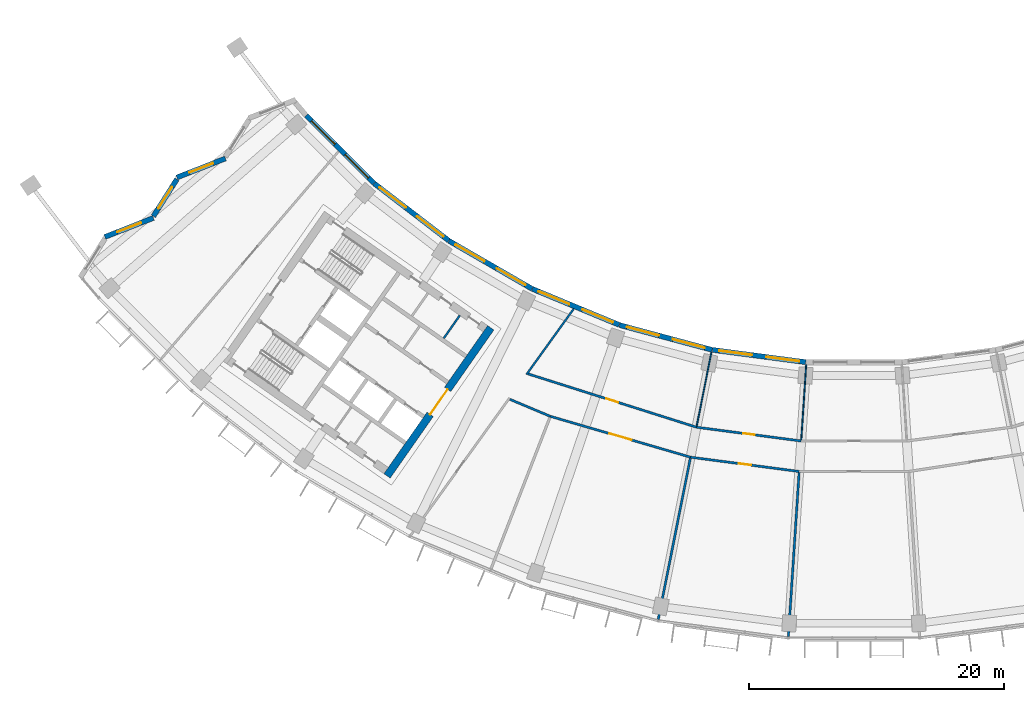
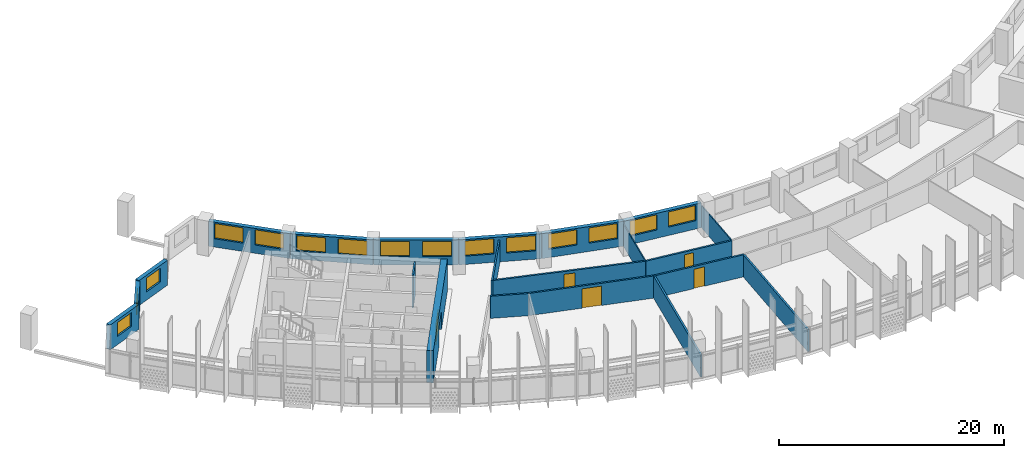
# One storey, part 4 of 27: 21 walls, 15 windows, 5 doors, 20 openings.
"""IFC4 building model written with IfcOpenShell, lengths in metres."""

import ifcopenshell
import ifcopenshell.guid

model = None  # the IFC model being written
_history = None  # IfcOwnerHistory: only IFC2X3 demands one
_inside = {}  # id of a spatial element -> (the spatial element, [elements in it])
_under = {}  # id of a project, library or spatial element -> (it, [spatial elements below it])
_declared = {}  # id of a project -> (the project, [libraries it declares])
_typed = {}  # id of a type object -> (the type object, [elements of that type])
_made_of = {}  # id of a material, layer set ... -> (it, [elements and type objects made of it])


def new_model(schema):
    """Start an empty IFC model of exactly this schema.

    Asked for "IFC4X3", IfcOpenShell would pick the latest addendum, in which some entities
    have other attributes; the version numbers below select the first issue.
    IFC2X3 requires an IfcOwnerHistory on every rooted entity: one is made here for all.
    """
    global model, _history
    if schema == "IFC4X3":
        model = ifcopenshell.file(schema_version=(4, 3, 0, 0))
    else:
        model = ifcopenshell.file(schema=schema)
    _inside.clear()
    _under.clear()
    _declared.clear()
    _typed.clear()
    _made_of.clear()
    _history = None
    if model.schema == "IFC2X3":
        org = make("IfcOrganization", Name="unknown")
        user = make(
            "IfcPersonAndOrganization",
            ThePerson=make("IfcPerson", FamilyName="unknown"),
            TheOrganization=org,
        )
        app = make(
            "IfcApplication",
            ApplicationDeveloper=org,
            Version="unknown",
            ApplicationFullName="unknown",
            ApplicationIdentifier="unknown",
        )
        _history = make(
            "IfcOwnerHistory",
            OwningUser=user,
            OwningApplication=app,
            ChangeAction="ADDED",
            CreationDate=0,
        )
    return model


def make(cls, **values):
    """One entity of the class cls with the attributes given. An attribute that is None is left unset."""
    return model.create_entity(
        cls, **{name: value for name, value in values.items() if value is not None}
    )


def rooted(cls, **values):
    """An entity with a GlobalId (a new one), such as an element, a storey or a relation."""
    return make(cls, GlobalId=ifcopenshell.guid.new(), OwnerHistory=_history, **values)


def si_unit(unit_type, name, prefix=None):
    """IfcSIUnit, for example si_unit("LENGTHUNIT", "METRE", prefix="MILLI")."""
    return make("IfcSIUnit", UnitType=unit_type, Prefix=prefix, Name=name)


def assignment(units):
    """IfcUnitAssignment: the units of a project."""
    return None if units is None else make("IfcUnitAssignment", Units=units)


def point(xyz):
    """IfcCartesianPoint."""
    return None if xyz is None else make("IfcCartesianPoint", Coordinates=xyz)


def direction(xyz):
    """IfcDirection."""
    return None if xyz is None else make("IfcDirection", DirectionRatios=xyz)


def frame(location, z_axis=None, x_axis=None):
    """IfcAxis2Placement3D, a coordinate frame: its origin and axes. An axis left out is left unset."""
    return make(
        "IfcAxis2Placement3D",
        Location=point(location),
        Axis=direction(z_axis),
        RefDirection=direction(x_axis),
    )


def frame_2d(location, x_axis=None):
    """IfcAxis2Placement2D, a coordinate frame in the plane: its origin and x axis."""
    return make(
        "IfcAxis2Placement2D", Location=point(location), RefDirection=direction(x_axis)
    )


def origin():
    """The frame at (0, 0, 0) with its axes left unset."""
    return frame((0.0, 0.0, 0.0))


def place(relative_to, where):
    """IfcLocalPlacement: puts the frame where relative to a parent placement (None: the world)."""
    return make(
        "IfcLocalPlacement", PlacementRelTo=relative_to, RelativePlacement=where
    )


def context(
    kind, dimensions, precision=None, world=None, true_north=None, identifier=None
):
    """IfcGeometricRepresentationContext, for example the 3D "Model" context."""
    return make(
        "IfcGeometricRepresentationContext",
        ContextIdentifier=identifier,
        ContextType=kind,
        CoordinateSpaceDimension=dimensions,
        Precision=precision,
        WorldCoordinateSystem=world,
        TrueNorth=true_north,
    )


def subcontext(parent, identifier, kind, view, scale=None):
    """IfcGeometricRepresentationSubContext, for example "Body" below "Model"."""
    return make(
        "IfcGeometricRepresentationSubContext",
        ContextIdentifier=identifier,
        ContextType=kind,
        ParentContext=parent,
        TargetScale=scale,
        TargetView=view,
    )


def project(units=None, contexts=None):
    """IfcProject with its units and contexts."""
    return rooted(
        "IfcProject",
        Name="project",
        RepresentationContexts=contexts,
        UnitsInContext=assignment(units),
    )


def spatial(cls, under=None, at=None, **own):
    """A site, building, storey or space (cls), placed at a placement, below another one or the project."""
    s = rooted(cls, ObjectPlacement=at, **own)
    if under is not None:
        _under.setdefault(under.id(), (under, []))[1].append(s)
    return s


def profile(cls, at=None, kind="AREA", **sizes):
    """A parametric profile (cls). Its sizes go by their IFC names, for example OverallWidth=200.0."""
    return make(cls, ProfileType=kind, Position=at, **sizes)


def rectangle(**sizes):
    """IfcRectangleProfileDef."""
    return profile("IfcRectangleProfileDef", **sizes)


def extrude(swept, where, along, depth):
    """IfcExtrudedAreaSolid: the profile swept, set in the frame where, extruded along a direction by depth."""
    return make(
        "IfcExtrudedAreaSolid",
        SweptArea=swept,
        Position=where,
        ExtrudedDirection=direction(along),
        Depth=depth,
    )


def shape(context_of_items, identifier, shape_type, items):
    """IfcShapeRepresentation: the items that make up one representation, for example the "Body"."""
    return make(
        "IfcShapeRepresentation",
        ContextOfItems=context_of_items,
        RepresentationIdentifier=identifier,
        RepresentationType=shape_type,
        Items=items,
    )


def material(Name=None, Category=None):
    """IfcMaterial."""
    return make("IfcMaterial", Name=Name, Category=Category)


def layer(
    of_material, thickness, ventilated=None, Name=None, Category=None, Priority=None
):
    """IfcMaterialLayer: one layer of a wall or slab, of a material (None: an air gap)."""
    return make(
        "IfcMaterialLayer",
        Material=of_material,
        LayerThickness=thickness,
        IsVentilated=ventilated,
        Name=Name,
        Category=Category,
        Priority=Priority,
    )


def layer_set(layers, Name=None):
    """IfcMaterialLayerSet."""
    return make("IfcMaterialLayerSet", MaterialLayers=layers, LayerSetName=Name)


def made_of(thing, what):
    """Note that an element or type object is made of a material, layer set ...; save() writes the relation."""
    if what is not None:
        _made_of.setdefault(what.id(), (what, []))[1].append(thing)
    return thing


def type_object(cls, material=None, **own):
    """A type object (cls), such as IfcWallType, which elements share."""
    return made_of(rooted(cls, **own), material)


def element(
    cls,
    number,
    at=None,
    inside=None,
    cuts=None,
    type_object=None,
    material=None,
    context=None,
    identifier="Body",
    shape_type=None,
    held_by="IfcProductDefinitionShape",
    body=None,
    shapes=None,
    **own,
):
    """One element of the class cls, such as IfcWall. Its Tag is "e" and its number.

    at: its placement. inside: the storey or other place that contains it. cuts: it is an
    opening in that element (IfcRelVoidsElement). A single representation is given by context,
    identifier, shape_type and body (its items); several are given by shapes. held_by: the class
    of the entity that holds the representations. save() writes the other relations.
    """
    e = rooted(cls, Tag="e%d" % number, ObjectPlacement=at, **own)
    if body is not None:
        shapes = [shape(context, identifier, shape_type, body)]
    if shapes is not None:
        e.Representation = make(held_by, Representations=shapes)
    if inside is not None:
        _inside.setdefault(inside.id(), (inside, []))[1].append(e)
    if cuts is not None:
        rooted(
            "IfcRelVoidsElement", RelatingBuildingElement=cuts, RelatedOpeningElement=e
        )
    if type_object is not None:
        _typed.setdefault(type_object.id(), (type_object, []))[1].append(e)
    return made_of(e, material)


def fill(opening, filler):
    """IfcRelFillsElement: the door or window that sits in an opening."""
    return rooted(
        "IfcRelFillsElement",
        RelatingOpeningElement=opening,
        RelatedBuildingElement=filler,
    )


def aggregate(whole, parts):
    """IfcRelAggregates: a whole, such as a stair, and the parts it consists of."""
    return rooted("IfcRelAggregates", RelatingObject=whole, RelatedObjects=parts)


def save(model, path):
    """Write the relations noted so far, then the file.

    IfcRelAggregates (storeys below a building ...), IfcRelContainedInSpatialStructure (elements
    in a storey), IfcRelDefinesByType, IfcRelAssociatesMaterial and IfcRelDeclares: one each for
    every whole, place, type object, material and project.
    """
    for whole, parts in _under.values():
        aggregate(whole, parts)
    for where, things in _inside.values():
        rooted(
            "IfcRelContainedInSpatialStructure",
            RelatedElements=things,
            RelatingStructure=where,
        )
    for kind, things in _typed.values():
        rooted("IfcRelDefinesByType", RelatedObjects=things, RelatingType=kind)
    for what, things in _made_of.values():
        rooted("IfcRelAssociatesMaterial", RelatedObjects=things, RelatingMaterial=what)
    for by, libraries in _declared.values():
        rooted("IfcRelDeclares", RelatingContext=by, RelatedDefinitions=libraries)
    model.write(path)


model = new_model("IFC4")

# Units and contexts
model_context = context("Model", 3, precision=1e-05, world=origin(), true_north=direction((0.0, 1.0)))
body_context = subcontext(model_context, "Body", "Model", "MODEL_VIEW")
ifc_project = project(units=[si_unit("LENGTHUNIT", "METRE"), si_unit("AREAUNIT", "SQUARE_METRE"), si_unit("VOLUMEUNIT", "CUBIC_METRE"), si_unit("PLANEANGLEUNIT", "RADIAN"), si_unit("MASSUNIT", "GRAM", prefix="KILO")], contexts=[model_context])

# Site, building, storey
site_placement = place(None, origin())
site = spatial("IfcSite", under=ifc_project, at=site_placement, CompositionType="ELEMENT")
building_placement = place(site_placement, origin())
building = spatial("IfcBuilding", under=site, at=building_placement, Name="Qamariyya Broadcast Tower", CompositionType="ELEMENT")
storey_placement = place(building_placement, frame((0.0, 0.0, 164.5)))
storey = spatial("IfcBuildingStorey", under=building, at=storey_placement, Name="L38", CompositionType="ELEMENT", Elevation=164.5)

# Wall, opening, door
ifc_material_1 = material(Name="Concrete C60/75", Category="concrete")
ifc_layer_1 = layer(ifc_material_1, 0.60009765625)
ifc_layer_set_1 = layer_set([ifc_layer_1], Name="Core wall 600 mm Concrete C60/75")
wall_type_1 = type_object("IfcWallType", Name="Core wall 600 mm Concrete C60/75", PredefinedType="SHEAR", material=ifc_layer_set_1)
wall_1_placement = place(storey_placement, frame((-36.66748046875, -66.005126953125, 0.0), z_axis=(0.0, 0.0, 1.0), x_axis=(0.573568499524, 0.819157601658, 0.0)))
wall_1 = element("IfcWall", 1, at=wall_1_placement, inside=storey, type_object=wall_type_1, Name="k-W-L38-WA", PredefinedType="SHEAR", context=body_context, shape_type="SweptSolid", body=[
    extrude(rectangle(XDim=14.19970703125, YDim=0.60009765625, at=frame_2d((7.099853515625, 0.0))), origin(), (0.0, 0.0, 1.0), 3.5),
])
opening_1_placement = place(wall_1_placement, frame((5.89990234375, 0.0, 0.0)))
opening_1 = element("IfcOpeningElement", 2, at=opening_1_placement, cuts=wall_1, Name="Opening KD3-W1", PredefinedType="OPENING", context=body_context, shape_type="SweptSolid", body=[
    extrude(rectangle(XDim=2.39990234375, YDim=2.10009765625, at=frame_2d((1.199951171875, 1.050048828125))), frame((0.0, 0.31005859375, 0.0), z_axis=(0.0, -1.0, 0.0), x_axis=(1.0, 0.0, 0.0)), (0.0, 0.0, 1.0), 0.6201171875),
])
ifc_material_2 = material(Name="Steel fire-resisting door leaf", Category="steel")
door_type_1 = type_object("IfcDoorType", Name="Lift lobby door KD3", OperationType="DOUBLE_DOOR_SINGLE_SWING", PredefinedType="DOOR", material=ifc_material_2)
door_1_placement = place(opening_1_placement, origin())
door_1 = element("IfcDoor", 3, at=door_1_placement, inside=storey, type_object=door_type_1, Name="k-W-L38-WA-D1", OperationType="DOUBLE_DOOR_SINGLE_SWING", OverallHeight=2.10009765625, OverallWidth=2.39990234375, PredefinedType="DOOR", context=body_context, shape_type="SweptSolid", body=[
    extrude(rectangle(XDim=2.39990234375, YDim=2.10009765625, at=frame_2d((1.199951171875, 1.050048828125))), frame((0.0, 0.02490234375, 0.0), z_axis=(0.0, -1.0, 0.0), x_axis=(1.0, 0.0, 0.0)), (0.0, 0.0, 1.0), 0.050048828125),
])
fill(opening_1, door_1)

# Walls
ifc_material_3 = material(Name="Gypsum board partition")
ifc_layer_2 = layer(ifc_material_3, 0.14990234375)
ifc_layer_set_2 = layer_set([ifc_layer_2], Name="Corridor partition 150 EI 60")
wall_type_2 = type_object("IfcWallType", Name="Corridor partition 150 EI 60", PredefinedType="PARTITIONING", material=ifc_layer_set_2)
wall_2_placement = place(storey_placement, frame((-22.0, -52.873046875, 0.0), z_axis=(0.0, 0.0, 1.0), x_axis=(-0.584145217468, -0.811649163684, 0.0)))
element("IfcWall", 4, at=wall_2_placement, inside=storey, type_object=wall_type_2, Name="Partition L38-007", PredefinedType="PARTITIONING", context=body_context, shape_type="SweptSolid", body=[
    extrude(rectangle(XDim=6.37109375, YDim=0.14990234375, at=frame_2d((3.185546875, 0.0))), origin(), (0.0, 0.0, 1.0), 2.39990234375),
])
ifc_material_4 = material(Name="Gypsum board partition on steel studs", Category="steel")
ifc_layer_3 = layer(ifc_material_4, 0.14990234375)
ifc_layer_set_3 = layer_set([ifc_layer_3], Name="Gypsum board partition 150 mm")
wall_type_3 = type_object("IfcWallType", Name="Gypsum board partition 150 mm", PredefinedType="PARTITIONING", material=ifc_layer_set_3)
wall_3_placement = place(storey_placement, frame((-32.2177734375, -55.204345703125, 0.0), z_axis=(0.0, 0.0, 1.0), x_axis=(0.573581496053, 0.819148501424, 0.0)))
element("IfcWall", 5, at=wall_3_placement, inside=storey, type_object=wall_type_3, Name="k-W-L38-NP225", PredefinedType="PARTITIONING", context=body_context, shape_type="SweptSolid", body=[
    extrude(rectangle(XDim=2.2001953125, YDim=0.14990234375, at=frame_2d((1.10009765625, 0.0))), origin(), (0.0, 0.0, 1.0), 3.5),
])
ifc_layer_4 = layer(ifc_material_3, 0.10009765625)
ifc_layer_set_4 = layer_set([ifc_layer_4], Name="Partition 100")
wall_type_4 = type_object("IfcWallType", Name="Partition 100", PredefinedType="PARTITIONING", material=ifc_layer_set_4)
wall_4_placement = place(storey_placement, frame((-11.1982421875, -56.297119140625, 0.0), z_axis=(0.0, 0.0, 1.0), x_axis=(-0.195067376167, -0.980789844337, 0.0)))
element("IfcWall", 6, at=wall_4_placement, inside=storey, type_object=wall_type_4, Name="Partition L38-011", PredefinedType="PARTITIONING", context=body_context, shape_type="SweptSolid", body=[
    extrude(rectangle(XDim=5.909912109375, YDim=0.10009765625, at=frame_2d((2.955078125, 0.0))), origin(), (0.0, 0.0, 1.0), 2.39990234375),
])
wall_5_placement = place(storey_placement, frame((-3.754150390625, -57.277099609375, 0.0), z_axis=(0.0, 0.0, 1.0), x_axis=(-0.065392110393, -0.99785964539, 0.0)))
element("IfcWall", 7, at=wall_5_placement, inside=storey, type_object=wall_type_4, Name="Partition L38-015", PredefinedType="PARTITIONING", context=body_context, shape_type="SweptSolid", body=[
    extrude(rectangle(XDim=5.91015625, YDim=0.10009765625, at=frame_2d((2.955078125, 0.0))), origin(), (0.0, 0.0, 1.0), 2.39990234375),
])
ifc_layer_5 = layer(ifc_material_3, 0.179931640625)
ifc_layer_set_5 = layer_set([ifc_layer_5], Name="Studio acoustic partition 180 EI 60")
wall_type_5 = type_object("IfcWallType", Name="Studio acoustic partition 180 EI 60", PredefinedType="PARTITIONING", material=ifc_layer_set_5)
wall_6_placement = place(storey_placement, frame((-27.031494140625, -59.989013671875, 0.0), z_axis=(0.0, 0.0, 1.0), x_axis=(0.921979582273, -0.38723849224, 0.0)))
element("IfcWall", 8, at=wall_6_placement, inside=storey, type_object=wall_type_5, Name="Partition L38-004", PredefinedType="PARTITIONING", context=body_context, shape_type="SweptSolid", body=[
    extrude(rectangle(XDim=3.454345703125, YDim=0.179931640625, at=frame_2d((1.72705078125, 0.0))), origin(), (0.0, 0.0, 1.0), 2.39990234375),
])

# Wall, opening, door
wall_7_placement = place(storey_placement, frame((-25.59765625, -57.99365234375, 0.0), z_axis=(0.0, 0.0, 1.0), x_axis=(0.953361971867, -0.301829340187, 0.0)))
wall_7 = element("IfcWall", 9, at=wall_7_placement, inside=storey, type_object=wall_type_5, Name="Partition L38-005", PredefinedType="PARTITIONING", context=body_context, shape_type="SweptSolid", body=[
    extrude(rectangle(XDim=13.876220703125, YDim=0.179931640625, at=frame_2d((6.93798828125, 0.0))), origin(), (0.0, 0.0, 1.0), 2.39990234375),
])
opening_2_placement = place(wall_7_placement, frame((6.43798828125, 0.0, 0.0)))
opening_2 = element("IfcOpeningElement", 10, at=opening_2_placement, cuts=wall_7, Name="Opening L38-D08", PredefinedType="OPENING", context=body_context, shape_type="SweptSolid", body=[
    extrude(rectangle(XDim=1.0, YDim=2.10009765625, at=frame_2d((0.5, 1.050048828125))), frame((0.0, 0.099853515625, 0.0), z_axis=(0.0, -1.0, 0.0), x_axis=(1.0, 0.0, 0.0)), (0.0, 0.0, 1.0), 0.199951171875),
])
ifc_material_5 = material(Name="Timber fire door leaf", Category="wood")
door_type_2 = type_object("IfcDoorType", Name="Fire door 1000 x 2100 FD60", OperationType="NOTDEFINED", PredefinedType="DOOR", material=ifc_material_5)
door_2_placement = place(opening_2_placement, origin())
door_2 = element("IfcDoor", 11, at=door_2_placement, inside=storey, type_object=door_type_2, Name="Door L38-D08", OperationType="SINGLE_SWING_RIGHT", OverallHeight=2.10009765625, OverallWidth=1.0, PredefinedType="DOOR", context=body_context, shape_type="SweptSolid", body=[
    extrude(rectangle(XDim=1.0, YDim=2.10009765625, at=frame_2d((0.5, 1.050048828125))), frame((0.0, 0.02490234375, 0.0), z_axis=(0.0, -1.0, 0.0), x_axis=(1.0, 0.0, 0.0)), (0.0, 0.0, 1.0), 0.050048828125),
])
fill(opening_2, door_2)

wall_8_placement = place(storey_placement, frame((-12.8369140625, -64.53564453125, 0.0), z_axis=(0.0, 0.0, 1.0), x_axis=(-0.960051486256, 0.279823415277, 0.0)))
wall_8 = element("IfcWall", 12, at=wall_8_placement, inside=storey, type_object=wall_type_5, Name="Partition L38-006", PredefinedType="PARTITIONING", context=body_context, shape_type="SweptSolid", body=[
    extrude(rectangle(XDim=11.4677734375, YDim=0.179931640625, at=frame_2d((5.73388671875, 0.0))), origin(), (0.0, 0.0, 1.0), 2.39990234375),
])
opening_3_placement = place(wall_8_placement, frame((4.833984375, 0.0, 0.0)))
opening_3 = element("IfcOpeningElement", 13, at=opening_3_placement, cuts=wall_8, Name="Opening L38-D02", PredefinedType="OPENING", context=body_context, shape_type="SweptSolid", body=[
    extrude(rectangle(XDim=1.800048828125, YDim=2.10009765625, at=frame_2d((0.89990234375, 1.050048828125))), frame((0.0, 0.099853515625, 0.0), z_axis=(0.0, -1.0, 0.0), x_axis=(1.0, 0.0, 0.0)), (0.0, 0.0, 1.0), 0.199951171875),
])
door_type_3 = type_object("IfcDoorType", Name="Double fire door 1800 x 2100 FD60", OperationType="NOTDEFINED", PredefinedType="DOOR", material=ifc_material_5)
door_3_placement = place(opening_3_placement, origin())
door_3 = element("IfcDoor", 14, at=door_3_placement, inside=storey, type_object=door_type_3, Name="Door L38-D02", OperationType="DOUBLE_DOOR_SINGLE_SWING", OverallHeight=2.10009765625, OverallWidth=1.800048828125, PredefinedType="DOOR", context=body_context, shape_type="SweptSolid", body=[
    extrude(rectangle(XDim=1.800048828125, YDim=2.10009765625, at=frame_2d((0.89990234375, 1.050048828125))), frame((0.0, 0.02490234375, 0.0), z_axis=(0.0, -1.0, 0.0), x_axis=(1.0, 0.0, 0.0)), (0.0, 0.0, 1.0), 0.050048828125),
])
fill(opening_3, door_3)

# Wall
wall_9_placement = place(storey_placement, frame((-15.373046875, -77.285888671875, 0.0), z_axis=(0.0, 0.0, 1.0), x_axis=(0.195086827289, 0.980785975541, 0.0)))
element("IfcWall", 15, at=wall_9_placement, inside=storey, type_object=wall_type_5, Name="Partition L38-008", PredefinedType="PARTITIONING", context=body_context, shape_type="SweptSolid", body=[
    extrude(rectangle(XDim=12.909912109375, YDim=0.179931640625, at=frame_2d((6.455078125, 0.0))), origin(), (0.0, 0.0, 1.0), 2.39990234375),
])

# Wall, opening, door
wall_10_placement = place(storey_placement, frame((-4.303466796875, -65.6591796875, 0.0), z_axis=(0.0, 0.0, 1.0), x_axis=(-0.991443575654, 0.130535957862, 0.0)))
wall_10 = element("IfcWall", 16, at=wall_10_placement, inside=storey, type_object=wall_type_5, Name="Partition L38-009", PredefinedType="PARTITIONING", context=body_context, shape_type="SweptSolid", body=[
    extrude(rectangle(XDim=8.607177734375, YDim=0.179931640625, at=frame_2d((4.3037109375, 0.0))), origin(), (0.0, 0.0, 1.0), 2.39990234375),
])
opening_4_placement = place(wall_10_placement, frame((3.803466796875, 0.0, 0.0)))
opening_4 = element("IfcOpeningElement", 17, at=opening_4_placement, cuts=wall_10, Name="Opening L38-D03", PredefinedType="OPENING", context=body_context, shape_type="SweptSolid", body=[
    extrude(rectangle(XDim=1.0, YDim=2.10009765625, at=frame_2d((0.5, 1.050048828125))), frame((0.0, 0.099853515625, 0.0), z_axis=(0.0, -1.0, 0.0), x_axis=(1.0, 0.0, 0.0)), (0.0, 0.0, 1.0), 0.199951171875),
])
door_4_placement = place(opening_4_placement, origin())
door_4 = element("IfcDoor", 18, at=door_4_placement, inside=storey, type_object=door_type_2, Name="Door L38-D03", OperationType="SINGLE_SWING_RIGHT", OverallHeight=2.10009765625, OverallWidth=1.0, PredefinedType="DOOR", context=body_context, shape_type="SweptSolid", body=[
    extrude(rectangle(XDim=1.0, YDim=2.10009765625, at=frame_2d((0.5, 1.050048828125))), frame((0.0, 0.02490234375, 0.0), z_axis=(0.0, -1.0, 0.0), x_axis=(1.0, 0.0, 0.0)), (0.0, 0.0, 1.0), 0.050048828125),
])
fill(opening_4, door_4)

wall_11_placement = place(storey_placement, frame((-12.36865234375, -62.181884765625, 0.0), z_axis=(0.0, 0.0, 1.0), x_axis=(0.991447881484, -0.130503250152, 0.0)))
wall_11 = element("IfcWall", 19, at=wall_11_placement, inside=storey, type_object=wall_type_5, Name="Partition L38-010", PredefinedType="PARTITIONING", context=body_context, shape_type="SweptSolid", body=[
    extrude(rectangle(XDim=8.293212890625, YDim=0.179931640625, at=frame_2d((4.146484375, 0.0))), origin(), (0.0, 0.0, 1.0), 2.39990234375),
])
opening_5_placement = place(wall_11_placement, frame((3.696533203125, 0.0, 0.0)))
opening_5 = element("IfcOpeningElement", 20, at=opening_5_placement, cuts=wall_11, Name="Opening L38-D09", PredefinedType="OPENING", context=body_context, shape_type="SweptSolid", body=[
    extrude(rectangle(XDim=0.89990234375, YDim=2.10009765625, at=frame_2d((0.449951171875, 1.050048828125))), frame((0.0, 0.099853515625, 0.0), z_axis=(0.0, -1.0, 0.0), x_axis=(1.0, 0.0, 0.0)), (0.0, 0.0, 1.0), 0.199951171875),
])
door_type_4 = type_object("IfcDoorType", Name="Fire door 900 x 2100 FD60", OperationType="NOTDEFINED", PredefinedType="DOOR", material=ifc_material_5)
door_5_placement = place(opening_5_placement, origin())
door_5 = element("IfcDoor", 21, at=door_5_placement, inside=storey, type_object=door_type_4, Name="Door L38-D09", OperationType="SINGLE_SWING_RIGHT", OverallHeight=2.10009765625, OverallWidth=0.89990234375, PredefinedType="DOOR", context=body_context, shape_type="SweptSolid", body=[
    extrude(rectangle(XDim=0.89990234375, YDim=2.10009765625, at=frame_2d((0.449951171875, 1.050048828125))), frame((0.0, 0.02490234375, 0.0), z_axis=(0.0, -1.0, 0.0), x_axis=(1.0, 0.0, 0.0)), (0.0, 0.0, 1.0), 0.050048828125),
])
fill(opening_5, door_5)

# Wall
wall_12_placement = place(storey_placement, frame((-5.15380859375, -78.63134765625, 0.0), z_axis=(0.0, 0.0, 1.0), x_axis=(0.06541317775, 0.997858264573, 0.0)))
element("IfcWall", 22, at=wall_12_placement, inside=storey, type_object=wall_type_5, Name="Partition L38-012", PredefinedType="PARTITIONING", context=body_context, shape_type="SweptSolid", body=[
    extrude(rectangle(XDim=12.909912109375, YDim=0.179931640625, at=frame_2d((6.455078125, 0.0))), origin(), (0.0, 0.0, 1.0), 2.39990234375),
])

# Wall, opening, window
ifc_material_6 = material(Name="Terracotta", Category="masonry")
ifc_layer_6 = layer(ifc_material_6, 0.39990234375)
ifc_layer_set_6 = layer_set([ifc_layer_6], Name="Terracotta clad wall 400")
wall_type_6 = type_object("IfcWallType", Name="Terracotta clad wall 400", PredefinedType="SOLIDWALL", material=ifc_layer_set_6)
wall_13_placement = place(storey_placement, frame((-49.36376953125, -41.078125, 0.0), z_axis=(0.0, 0.0, 1.0), x_axis=(-0.931214581227, -0.364471403144, 0.0)))
wall_13 = element("IfcWall", 23, at=wall_13_placement, inside=storey, type_object=wall_type_6, Name="e-wl-L38-capW2", PredefinedType="SOLIDWALL", context=body_context, shape_type="SweptSolid", body=[
    extrude(rectangle(XDim=4.088134765625, YDim=0.39990234375, at=frame_2d((2.0439453125, 0.0))), origin(), (0.0, 0.0, 1.0), 2.699951171875),
])
opening_6_placement = place(wall_13_placement, frame((1.0439453125, 0.0, 0.89990234375)))
opening_6 = element("IfcOpeningElement", 24, at=opening_6_placement, cuts=wall_13, Name="Opening W4", PredefinedType="OPENING", context=body_context, shape_type="SweptSolid", body=[
    extrude(rectangle(XDim=2.0, YDim=1.5, at=frame_2d((1.0, 0.75))), frame((0.0, 0.2099609375, 0.0), z_axis=(0.0, -1.0, 0.0), x_axis=(1.0, 0.0, 0.0)), (0.0, 0.0, 1.0), 0.419921875),
])
ifc_material_7 = material(Name="Clear low-e double glazed unit in aluminium frame", Category="aluminium")
window_type_1 = type_object("IfcWindowType", Name="Horn bay window 2000 x 1500", PartitioningType="SINGLE_PANEL", PredefinedType="WINDOW", material=ifc_material_7)
window_1_placement = place(opening_6_placement, origin())
window_1 = element("IfcWindow", 25, at=window_1_placement, inside=storey, type_object=window_type_1, Name="e-w-L38-capW2", OverallHeight=1.5, OverallWidth=2.0, PartitioningType="SINGLE_PANEL", PredefinedType="WINDOW", context=body_context, shape_type="SweptSolid", body=[
    extrude(rectangle(XDim=2.0, YDim=1.5, at=frame_2d((1.0, 0.75))), frame((0.0, 0.030029296875, 0.0), z_axis=(0.0, -1.0, 0.0), x_axis=(1.0, 0.0, 0.0)), (0.0, 0.0, 1.0), 0.06005859375),
])
fill(opening_6, window_1)

wall_14_placement = place(storey_placement, frame((-53.173828125, -42.70556640625, 0.0), z_axis=(0.0, 0.0, 1.0), x_axis=(-0.535584013076, -0.844481950628, 0.0)))
wall_14 = element("IfcWall", 26, at=wall_14_placement, inside=storey, type_object=wall_type_6, Name="e-wl-L38-capW3", PredefinedType="SOLIDWALL", context=body_context, shape_type="SweptSolid", body=[
    extrude(rectangle(XDim=3.43896484375, YDim=0.39990234375, at=frame_2d((1.719482421875, 0.0))), origin(), (0.0, 0.0, 1.0), 2.699951171875),
])
opening_7_placement = place(wall_14_placement, frame((0.71923828125, 0.0, 0.89990234375)))
opening_7 = element("IfcOpeningElement", 27, at=opening_7_placement, cuts=wall_14, Name="Opening W4", PredefinedType="OPENING", context=body_context, shape_type="SweptSolid", body=[
    extrude(rectangle(XDim=2.0, YDim=1.5, at=frame_2d((1.0, 0.75))), frame((0.0, 0.2099609375, 0.0), z_axis=(0.0, -1.0, 0.0), x_axis=(1.0, 0.0, 0.0)), (0.0, 0.0, 1.0), 0.419921875),
])
window_2_placement = place(opening_7_placement, origin())
window_2 = element("IfcWindow", 28, at=window_2_placement, inside=storey, type_object=window_type_1, Name="e-w-L38-capW3", OverallHeight=1.5, OverallWidth=2.0, PartitioningType="SINGLE_PANEL", PredefinedType="WINDOW", context=body_context, shape_type="SweptSolid", body=[
    extrude(rectangle(XDim=2.0, YDim=1.5, at=frame_2d((1.0, 0.75))), frame((0.0, 0.030029296875, 0.0), z_axis=(0.0, -1.0, 0.0), x_axis=(1.0, 0.0, 0.0)), (0.0, 0.0, 1.0), 0.06005859375),
])
fill(opening_7, window_2)

wall_15_placement = place(storey_placement, frame((-55.018798828125, -45.7470703125, 0.0), z_axis=(0.0, 0.0, 1.0), x_axis=(-0.931177577402, -0.364565932779, 0.0)))
wall_15 = element("IfcWall", 29, at=wall_15_placement, inside=storey, type_object=wall_type_6, Name="e-wl-L38-capW4", PredefinedType="SOLIDWALL", context=body_context, shape_type="SweptSolid", body=[
    extrude(rectangle(XDim=4.089111328125, YDim=0.39990234375, at=frame_2d((2.04443359375, 0.0))), origin(), (0.0, 0.0, 1.0), 2.699951171875),
])
opening_8_placement = place(wall_15_placement, frame((1.04443359375, 0.0, 0.89990234375)))
opening_8 = element("IfcOpeningElement", 30, at=opening_8_placement, cuts=wall_15, Name="Opening W4", PredefinedType="OPENING", context=body_context, shape_type="SweptSolid", body=[
    extrude(rectangle(XDim=2.0, YDim=1.5, at=frame_2d((1.0, 0.75))), frame((0.0, 0.2099609375, 0.0), z_axis=(0.0, -1.0, 0.0), x_axis=(1.0, 0.0, 0.0)), (0.0, 0.0, 1.0), 0.419921875),
])
window_3_placement = place(opening_8_placement, origin())
window_3 = element("IfcWindow", 31, at=window_3_placement, inside=storey, type_object=window_type_1, Name="e-w-L38-capW4", OverallHeight=1.5, OverallWidth=2.0, PartitioningType="SINGLE_PANEL", PredefinedType="WINDOW", context=body_context, shape_type="SweptSolid", body=[
    extrude(rectangle(XDim=2.0, YDim=1.5, at=frame_2d((1.0, 0.75))), frame((0.0, 0.030029296875, 0.0), z_axis=(0.0, -1.0, 0.0), x_axis=(1.0, 0.0, 0.0)), (0.0, 0.0, 1.0), 0.06005859375),
])
fill(opening_8, window_3)

# Wall, openings, windows
wall_16_placement = place(storey_placement, frame((-37.697265625, -43.023193359375, 0.0), z_axis=(0.0, 0.0, 1.0), x_axis=(-0.707106781187, 0.707106781187, 0.0)))
wall_16 = element("IfcWall", 32, at=wall_16_placement, inside=storey, type_object=wall_type_6, Name="e-wl-L38-in10", PredefinedType="SOLIDWALL", context=body_context, shape_type="SweptSolid", body=[
    extrude(rectangle(XDim=7.51708984375, YDim=0.39990234375, at=frame_2d((3.758544921875, 0.0))), origin(), (0.0, 0.0, 1.0), 2.699951171875),
])
opening_9_placement = place(wall_16_placement, frame((4.330078125, 0.0, 0.89990234375)))
opening_9 = element("IfcOpeningElement", 33, at=opening_9_placement, cuts=wall_16, Name="Opening W1", PredefinedType="OPENING", context=body_context, shape_type="SweptSolid", body=[
    extrude(rectangle(XDim=2.60009765625, YDim=1.64990234375, at=frame_2d((1.300048828125, 0.824951171875))), frame((0.0, 0.2099609375, 0.0), z_axis=(0.0, -1.0, 0.0), x_axis=(1.0, 0.0, 0.0)), (0.0, 0.0, 1.0), 0.419921875),
])
opening_10_placement = place(wall_16_placement, frame((0.60205078125, 0.0, 0.89990234375)))
opening_10 = element("IfcOpeningElement", 34, at=opening_10_placement, cuts=wall_16, Name="Opening W1", PredefinedType="OPENING", context=body_context, shape_type="SweptSolid", body=[
    extrude(rectangle(XDim=2.60009765625, YDim=1.64990234375, at=frame_2d((1.300048828125, 0.824951171875))), frame((0.0, 0.2099609375, 0.0), z_axis=(0.0, -1.0, 0.0), x_axis=(1.0, 0.0, 0.0)), (0.0, 0.0, 1.0), 0.419921875),
])
window_type_2 = type_object("IfcWindowType", Name="Ribbon window 2600 x 1650", PartitioningType="SINGLE_PANEL", PredefinedType="WINDOW", material=ifc_material_7)
window_4_placement = place(opening_9_placement, origin())
window_4 = element("IfcWindow", 35, at=window_4_placement, inside=storey, type_object=window_type_2, Name="e-w-L38-in01-0", OverallHeight=1.64990234375, OverallWidth=2.60009765625, PartitioningType="SINGLE_PANEL", PredefinedType="WINDOW", context=body_context, shape_type="SweptSolid", body=[
    extrude(rectangle(XDim=2.60009765625, YDim=1.64990234375, at=frame_2d((1.300048828125, 0.824951171875))), frame((0.0, 0.030029296875, 0.0), z_axis=(0.0, -1.0, 0.0), x_axis=(1.0, 0.0, 0.0)), (0.0, 0.0, 1.0), 0.06005859375),
])
fill(opening_9, window_4)
window_5_placement = place(opening_10_placement, origin())
window_5 = element("IfcWindow", 36, at=window_5_placement, inside=storey, type_object=window_type_2, Name="e-w-L38-in01-1", OverallHeight=1.64990234375, OverallWidth=2.60009765625, PartitioningType="SINGLE_PANEL", PredefinedType="WINDOW", context=body_context, shape_type="SweptSolid", body=[
    extrude(rectangle(XDim=2.60009765625, YDim=1.64990234375, at=frame_2d((1.300048828125, 0.824951171875))), frame((0.0, 0.030029296875, 0.0), z_axis=(0.0, -1.0, 0.0), x_axis=(1.0, 0.0, 0.0)), (0.0, 0.0, 1.0), 0.06005859375),
])
fill(opening_10, window_5)

wall_17_placement = place(storey_placement, frame((-31.819091796875, -47.529541015625, 0.0), z_axis=(0.0, 0.0, 1.0), x_axis=(-0.79334647843, 0.608770371457, 0.0)))
wall_17 = element("IfcWall", 37, at=wall_17_placement, inside=storey, type_object=wall_type_6, Name="e-wl-L38-in20", PredefinedType="SOLIDWALL", context=body_context, shape_type="SweptSolid", body=[
    extrude(rectangle(XDim=7.380615234375, YDim=0.39990234375, at=frame_2d((3.6904296875, 0.0))), origin(), (0.0, 0.0, 1.0), 2.699951171875),
])
opening_11_placement = place(wall_17_placement, frame((4.25439453125, 0.0, 0.89990234375)))
opening_11 = element("IfcOpeningElement", 38, at=opening_11_placement, cuts=wall_17, Name="Opening W1", PredefinedType="OPENING", context=body_context, shape_type="SweptSolid", body=[
    extrude(rectangle(XDim=2.60009765625, YDim=1.64990234375, at=frame_2d((1.300048828125, 0.824951171875))), frame((0.0, 0.2099609375, 0.0), z_axis=(0.0, -1.0, 0.0), x_axis=(1.0, 0.0, 0.0)), (0.0, 0.0, 1.0), 0.419921875),
])
opening_12_placement = place(wall_17_placement, frame((0.5263671875, 0.0, 0.89990234375)))
opening_12 = element("IfcOpeningElement", 39, at=opening_12_placement, cuts=wall_17, Name="Opening W1", PredefinedType="OPENING", context=body_context, shape_type="SweptSolid", body=[
    extrude(rectangle(XDim=2.60009765625, YDim=1.64990234375, at=frame_2d((1.300048828125, 0.824951171875))), frame((0.0, 0.2099609375, 0.0), z_axis=(0.0, -1.0, 0.0), x_axis=(1.0, 0.0, 0.0)), (0.0, 0.0, 1.0), 0.419921875),
])
window_6_placement = place(opening_11_placement, origin())
window_6 = element("IfcWindow", 40, at=window_6_placement, inside=storey, type_object=window_type_2, Name="e-w-L38-in02-0", OverallHeight=1.64990234375, OverallWidth=2.60009765625, PartitioningType="SINGLE_PANEL", PredefinedType="WINDOW", context=body_context, shape_type="SweptSolid", body=[
    extrude(rectangle(XDim=2.60009765625, YDim=1.64990234375, at=frame_2d((1.300048828125, 0.824951171875))), frame((0.0, 0.030029296875, 0.0), z_axis=(0.0, -1.0, 0.0), x_axis=(1.0, 0.0, 0.0)), (0.0, 0.0, 1.0), 0.06005859375),
])
fill(opening_11, window_6)
window_7_placement = place(opening_12_placement, origin())
window_7 = element("IfcWindow", 41, at=window_7_placement, inside=storey, type_object=window_type_2, Name="e-w-L38-in02-1", OverallHeight=1.64990234375, OverallWidth=2.60009765625, PartitioningType="SINGLE_PANEL", PredefinedType="WINDOW", context=body_context, shape_type="SweptSolid", body=[
    extrude(rectangle(XDim=2.60009765625, YDim=1.64990234375, at=frame_2d((1.300048828125, 0.824951171875))), frame((0.0, 0.030029296875, 0.0), z_axis=(0.0, -1.0, 0.0), x_axis=(1.0, 0.0, 0.0)), (0.0, 0.0, 1.0), 0.06005859375),
])
fill(opening_12, window_7)

wall_18_placement = place(storey_placement, frame((-25.27734375, -51.31396484375, 0.0), z_axis=(0.0, 0.0, 1.0), x_axis=(-0.866028517328, 0.499994607145, 0.0)))
wall_18 = element("IfcWall", 42, at=wall_18_placement, inside=storey, type_object=wall_type_6, Name="e-wl-L38-in30", PredefinedType="SOLIDWALL", context=body_context, shape_type="SweptSolid", body=[
    extrude(rectangle(XDim=7.5322265625, YDim=0.39990234375, at=frame_2d((3.76611328125, 0.0))), origin(), (0.0, 0.0, 1.0), 2.699951171875),
])
opening_13_placement = place(wall_18_placement, frame((4.330078125, 0.0, 0.89990234375)))
opening_13 = element("IfcOpeningElement", 43, at=opening_13_placement, cuts=wall_18, Name="Opening W1", PredefinedType="OPENING", context=body_context, shape_type="SweptSolid", body=[
    extrude(rectangle(XDim=2.60009765625, YDim=1.64990234375, at=frame_2d((1.300048828125, 0.824951171875))), frame((0.0, 0.2099609375, 0.0), z_axis=(0.0, -1.0, 0.0), x_axis=(1.0, 0.0, 0.0)), (0.0, 0.0, 1.0), 0.419921875),
])
opening_14_placement = place(wall_18_placement, frame((0.60205078125, 0.0, 0.89990234375)))
opening_14 = element("IfcOpeningElement", 44, at=opening_14_placement, cuts=wall_18, Name="Opening W1", PredefinedType="OPENING", context=body_context, shape_type="SweptSolid", body=[
    extrude(rectangle(XDim=2.60009765625, YDim=1.64990234375, at=frame_2d((1.300048828125, 0.824951171875))), frame((0.0, 0.2099609375, 0.0), z_axis=(0.0, -1.0, 0.0), x_axis=(1.0, 0.0, 0.0)), (0.0, 0.0, 1.0), 0.419921875),
])
window_8_placement = place(opening_13_placement, origin())
window_8 = element("IfcWindow", 45, at=window_8_placement, inside=storey, type_object=window_type_2, Name="e-w-L38-in03-0", OverallHeight=1.64990234375, OverallWidth=2.60009765625, PartitioningType="SINGLE_PANEL", PredefinedType="WINDOW", context=body_context, shape_type="SweptSolid", body=[
    extrude(rectangle(XDim=2.60009765625, YDim=1.64990234375, at=frame_2d((1.300048828125, 0.824951171875))), frame((0.0, 0.030029296875, 0.0), z_axis=(0.0, -1.0, 0.0), x_axis=(1.0, 0.0, 0.0)), (0.0, 0.0, 1.0), 0.06005859375),
])
fill(opening_13, window_8)
window_9_placement = place(opening_14_placement, origin())
window_9 = element("IfcWindow", 46, at=window_9_placement, inside=storey, type_object=window_type_2, Name="e-w-L38-in03-1", OverallHeight=1.64990234375, OverallWidth=2.60009765625, PartitioningType="SINGLE_PANEL", PredefinedType="WINDOW", context=body_context, shape_type="SweptSolid", body=[
    extrude(rectangle(XDim=2.60009765625, YDim=1.64990234375, at=frame_2d((1.300048828125, 0.824951171875))), frame((0.0, 0.030029296875, 0.0), z_axis=(0.0, -1.0, 0.0), x_axis=(1.0, 0.0, 0.0)), (0.0, 0.0, 1.0), 0.06005859375),
])
fill(opening_14, window_9)

wall_19_placement = place(storey_placement, frame((-18.433349609375, -54.1455078125, 0.0), z_axis=(0.0, 0.0, 1.0), x_axis=(-0.923867659443, 0.382712095229, 0.0)))
wall_19 = element("IfcWall", 47, at=wall_19_placement, inside=storey, type_object=wall_type_6, Name="e-wl-L38-in40", PredefinedType="SOLIDWALL", context=body_context, shape_type="SweptSolid", body=[
    extrude(rectangle(XDim=7.380859375, YDim=0.39990234375, at=frame_2d((3.6904296875, 0.0))), origin(), (0.0, 0.0, 1.0), 2.699951171875),
])
opening_15_placement = place(wall_19_placement, frame((4.25439453125, 0.0, 0.89990234375)))
opening_15 = element("IfcOpeningElement", 48, at=opening_15_placement, cuts=wall_19, Name="Opening W1", PredefinedType="OPENING", context=body_context, shape_type="SweptSolid", body=[
    extrude(rectangle(XDim=2.60009765625, YDim=1.64990234375, at=frame_2d((1.300048828125, 0.824951171875))), frame((0.0, 0.2099609375, 0.0), z_axis=(0.0, -1.0, 0.0), x_axis=(1.0, 0.0, 0.0)), (0.0, 0.0, 1.0), 0.419921875),
])
opening_16_placement = place(wall_19_placement, frame((0.5263671875, 0.0, 0.89990234375)))
opening_16 = element("IfcOpeningElement", 49, at=opening_16_placement, cuts=wall_19, Name="Opening W1", PredefinedType="OPENING", context=body_context, shape_type="SweptSolid", body=[
    extrude(rectangle(XDim=2.60009765625, YDim=1.64990234375, at=frame_2d((1.300048828125, 0.824951171875))), frame((0.0, 0.2099609375, 0.0), z_axis=(0.0, -1.0, 0.0), x_axis=(1.0, 0.0, 0.0)), (0.0, 0.0, 1.0), 0.419921875),
])
window_10_placement = place(opening_15_placement, origin())
window_10 = element("IfcWindow", 50, at=window_10_placement, inside=storey, type_object=window_type_2, Name="e-w-L38-in04-0", OverallHeight=1.64990234375, OverallWidth=2.60009765625, PartitioningType="SINGLE_PANEL", PredefinedType="WINDOW", context=body_context, shape_type="SweptSolid", body=[
    extrude(rectangle(XDim=2.60009765625, YDim=1.64990234375, at=frame_2d((1.300048828125, 0.824951171875))), frame((0.0, 0.030029296875, 0.0), z_axis=(0.0, -1.0, 0.0), x_axis=(1.0, 0.0, 0.0)), (0.0, 0.0, 1.0), 0.06005859375),
])
fill(opening_15, window_10)
window_11_placement = place(opening_16_placement, origin())
window_11 = element("IfcWindow", 51, at=window_11_placement, inside=storey, type_object=window_type_2, Name="e-w-L38-in04-1", OverallHeight=1.64990234375, OverallWidth=2.60009765625, PartitioningType="SINGLE_PANEL", PredefinedType="WINDOW", context=body_context, shape_type="SweptSolid", body=[
    extrude(rectangle(XDim=2.60009765625, YDim=1.64990234375, at=frame_2d((1.300048828125, 0.824951171875))), frame((0.0, 0.030029296875, 0.0), z_axis=(0.0, -1.0, 0.0), x_axis=(1.0, 0.0, 0.0)), (0.0, 0.0, 1.0), 0.06005859375),
])
fill(opening_16, window_11)

wall_20_placement = place(storey_placement, frame((-11.135009765625, -56.10791015625, 0.0), z_axis=(0.0, 0.0, 1.0), x_axis=(-0.965927073219, 0.258814391452, 0.0)))
wall_20 = element("IfcWall", 52, at=wall_20_placement, inside=storey, type_object=wall_type_6, Name="e-wl-L38-in50", PredefinedType="SOLIDWALL", context=body_context, shape_type="SweptSolid", body=[
    extrude(rectangle(XDim=7.5322265625, YDim=0.39990234375, at=frame_2d((3.76611328125, 0.0))), origin(), (0.0, 0.0, 1.0), 2.699951171875),
])
opening_17_placement = place(wall_20_placement, frame((4.330078125, 0.0, 0.89990234375)))
opening_17 = element("IfcOpeningElement", 53, at=opening_17_placement, cuts=wall_20, Name="Opening W1", PredefinedType="OPENING", context=body_context, shape_type="SweptSolid", body=[
    extrude(rectangle(XDim=2.60009765625, YDim=1.64990234375, at=frame_2d((1.300048828125, 0.824951171875))), frame((0.0, 0.2099609375, 0.0), z_axis=(0.0, -1.0, 0.0), x_axis=(1.0, 0.0, 0.0)), (0.0, 0.0, 1.0), 0.419921875),
])
opening_18_placement = place(wall_20_placement, frame((0.60205078125, 0.0, 0.89990234375)))
opening_18 = element("IfcOpeningElement", 54, at=opening_18_placement, cuts=wall_20, Name="Opening W1", PredefinedType="OPENING", context=body_context, shape_type="SweptSolid", body=[
    extrude(rectangle(XDim=2.60009765625, YDim=1.64990234375, at=frame_2d((1.300048828125, 0.824951171875))), frame((0.0, 0.2099609375, 0.0), z_axis=(0.0, -1.0, 0.0), x_axis=(1.0, 0.0, 0.0)), (0.0, 0.0, 1.0), 0.419921875),
])
window_12_placement = place(opening_17_placement, origin())
window_12 = element("IfcWindow", 55, at=window_12_placement, inside=storey, type_object=window_type_2, Name="e-w-L38-in05-0", OverallHeight=1.64990234375, OverallWidth=2.60009765625, PartitioningType="SINGLE_PANEL", PredefinedType="WINDOW", context=body_context, shape_type="SweptSolid", body=[
    extrude(rectangle(XDim=2.60009765625, YDim=1.64990234375, at=frame_2d((1.300048828125, 0.824951171875))), frame((0.0, 0.030029296875, 0.0), z_axis=(0.0, -1.0, 0.0), x_axis=(1.0, 0.0, 0.0)), (0.0, 0.0, 1.0), 0.06005859375),
])
fill(opening_17, window_12)
window_13_placement = place(opening_18_placement, origin())
window_13 = element("IfcWindow", 56, at=window_13_placement, inside=storey, type_object=window_type_2, Name="e-w-L38-in05-1", OverallHeight=1.64990234375, OverallWidth=2.60009765625, PartitioningType="SINGLE_PANEL", PredefinedType="WINDOW", context=body_context, shape_type="SweptSolid", body=[
    extrude(rectangle(XDim=2.60009765625, YDim=1.64990234375, at=frame_2d((1.300048828125, 0.824951171875))), frame((0.0, 0.030029296875, 0.0), z_axis=(0.0, -1.0, 0.0), x_axis=(1.0, 0.0, 0.0)), (0.0, 0.0, 1.0), 0.06005859375),
])
fill(opening_18, window_13)

wall_21_placement = place(storey_placement, frame((-3.79150390625, -57.0712890625, 0.0), z_axis=(0.0, 0.0, 1.0), x_axis=(-0.99144438474, 0.130529812564, 0.0)))
wall_21 = element("IfcWall", 57, at=wall_21_placement, inside=storey, type_object=wall_type_6, Name="e-wl-L38-in60", PredefinedType="SOLIDWALL", context=body_context, shape_type="SweptSolid", body=[
    extrude(rectangle(XDim=7.380615234375, YDim=0.39990234375, at=frame_2d((3.6904296875, 0.0))), origin(), (0.0, 0.0, 1.0), 2.699951171875),
])
opening_19_placement = place(wall_21_placement, frame((4.25439453125, 0.0, 0.89990234375)))
opening_19 = element("IfcOpeningElement", 58, at=opening_19_placement, cuts=wall_21, Name="Opening W1", PredefinedType="OPENING", context=body_context, shape_type="SweptSolid", body=[
    extrude(rectangle(XDim=2.60009765625, YDim=1.64990234375, at=frame_2d((1.300048828125, 0.824951171875))), frame((0.0, 0.2099609375, 0.0), z_axis=(0.0, -1.0, 0.0), x_axis=(1.0, 0.0, 0.0)), (0.0, 0.0, 1.0), 0.419921875),
])
opening_20_placement = place(wall_21_placement, frame((0.5263671875, 0.0, 0.89990234375)))
opening_20 = element("IfcOpeningElement", 59, at=opening_20_placement, cuts=wall_21, Name="Opening W1", PredefinedType="OPENING", context=body_context, shape_type="SweptSolid", body=[
    extrude(rectangle(XDim=2.60009765625, YDim=1.64990234375, at=frame_2d((1.300048828125, 0.824951171875))), frame((0.0, 0.2099609375, 0.0), z_axis=(0.0, -1.0, 0.0), x_axis=(1.0, 0.0, 0.0)), (0.0, 0.0, 1.0), 0.419921875),
])
window_14_placement = place(opening_19_placement, origin())
window_14 = element("IfcWindow", 60, at=window_14_placement, inside=storey, type_object=window_type_2, Name="e-w-L38-in06-0", OverallHeight=1.64990234375, OverallWidth=2.60009765625, PartitioningType="SINGLE_PANEL", PredefinedType="WINDOW", context=body_context, shape_type="SweptSolid", body=[
    extrude(rectangle(XDim=2.60009765625, YDim=1.64990234375, at=frame_2d((1.300048828125, 0.824951171875))), frame((0.0, 0.030029296875, 0.0), z_axis=(0.0, -1.0, 0.0), x_axis=(1.0, 0.0, 0.0)), (0.0, 0.0, 1.0), 0.06005859375),
])
fill(opening_19, window_14)
window_15_placement = place(opening_20_placement, origin())
window_15 = element("IfcWindow", 61, at=window_15_placement, inside=storey, type_object=window_type_2, Name="e-w-L38-in06-1", OverallHeight=1.64990234375, OverallWidth=2.60009765625, PartitioningType="SINGLE_PANEL", PredefinedType="WINDOW", context=body_context, shape_type="SweptSolid", body=[
    extrude(rectangle(XDim=2.60009765625, YDim=1.64990234375, at=frame_2d((1.300048828125, 0.824951171875))), frame((0.0, 0.030029296875, 0.0), z_axis=(0.0, -1.0, 0.0), x_axis=(1.0, 0.0, 0.0)), (0.0, 0.0, 1.0), 0.06005859375),
])
fill(opening_20, window_15)

save(model, "model.ifc")
